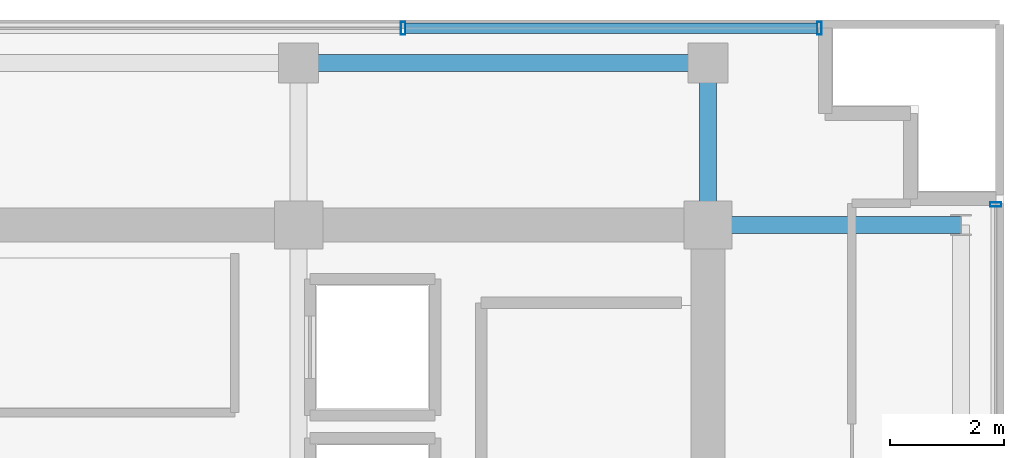
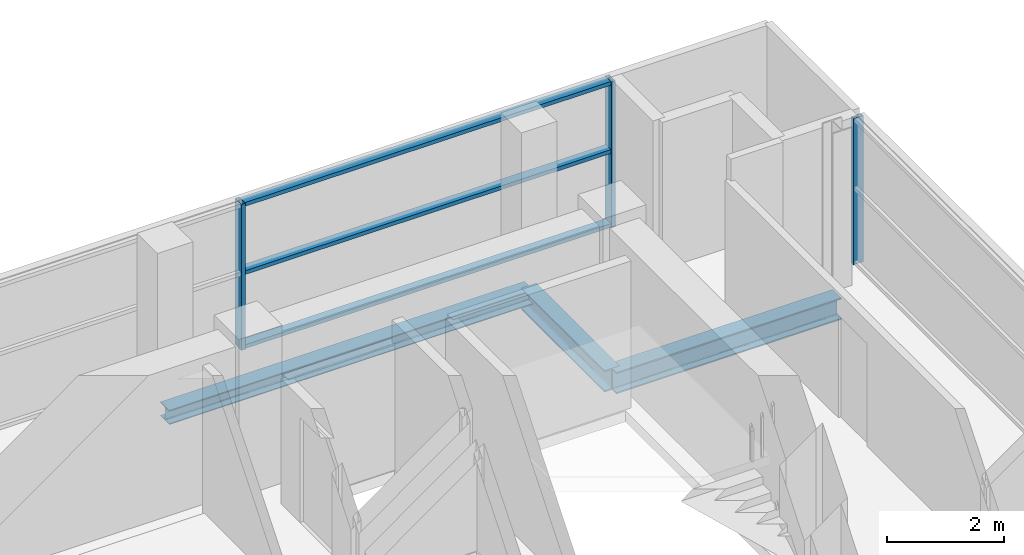
# One storey, part 13 of 22: 6 members, 3 beams, 2 elements without a shape of their own.
"""IFC4 building model written with IfcOpenShell, lengths in metres."""

from ifc_helpers import new_model, si_unit, direction, frame, origin, origin_2d, place, context, subcontext, project, spatial, hollow_rectangle, i_section, extrude, source, transform, mapped, material, layer, layer_set, material_profile, profile_set, type_object, element, aggregate, save


model = new_model("IFC4")

# Units and contexts
model_context = context("Model", 3, precision=1e-05, world=origin(), true_north=direction((0.0, 1.0)))
body_context = subcontext(model_context, "Body", "Model", "MODEL_VIEW")
ifc_project = project(units=[si_unit("LENGTHUNIT", "METRE"), si_unit("AREAUNIT", "SQUARE_METRE"), si_unit("VOLUMEUNIT", "CUBIC_METRE"), si_unit("PLANEANGLEUNIT", "RADIAN"), si_unit("MASSUNIT", "GRAM", prefix="KILO")], contexts=[model_context])

# Site, building, storey
site_placement = place(None, origin())
site = spatial("IfcSite", under=ifc_project, at=site_placement, CompositionType="ELEMENT")
building_placement = place(site_placement, origin())
building = spatial("IfcBuilding", under=site, at=building_placement, Name="Zarnakvel Exchange Tower", CompositionType="ELEMENT")
storey_placement = place(building_placement, frame((0.0, 0.0, 215.5)))
storey = spatial("IfcBuildingStorey", under=building, at=storey_placement, Name="L60", CompositionType="ELEMENT", Elevation=215.5)

# Beams
ifc_material_1 = material(Name="Steel S355", Category="steel")
ifc_material_profile_1 = material_profile(ifc_material_1, i_section(OverallWidth=0.300048828125, OverallDepth=0.449951171875, WebThickness=0.013916015625, FlangeThickness=0.02587890625, FilletRadius=0.027099609375, at=origin_2d()))
ifc_profile_set_1 = profile_set([ifc_material_profile_1], Name="Steel S355")
beam_type_1 = type_object("IfcBeamType", Name="G-07", PredefinedType="BEAM", material=ifc_profile_set_1)
beam_1_placement = place(storey_placement, frame((14.39990234375, 13.5, -0.449951171875), z_axis=(1.0, 0.0, 0.0), x_axis=(0.0, 1.0, 0.0)))
element("IfcBeam", 1, at=beam_1_placement, inside=storey, type_object=beam_type_1, Name="L60 Tower E-W Frame Beam", PredefinedType="BEAM", context=body_context, shape_type="SweptSolid", body=[
    extrude(i_section(OverallWidth=0.300048828125, OverallDepth=0.449951171875, WebThickness=0.013916015625, FlangeThickness=0.02587890625, FilletRadius=0.027099609375, at=origin_2d()), origin(), (0.0, 0.0, 1.0), 4.4501953125),
])
beam_2_placement = place(storey_placement, frame((14.39990234375, 13.5, -0.449951171875), z_axis=(0.0, 1.0, 0.0), x_axis=(-1.0, 0.0, 0.0)))
element("IfcBeam", 2, at=beam_2_placement, inside=storey, type_object=beam_type_1, Name="L60 Tower N-S Frame Beam", PredefinedType="BEAM", context=body_context, shape_type="SweptSolid", body=[
    extrude(i_section(OverallWidth=0.300048828125, OverallDepth=0.449951171875, WebThickness=0.013916015625, FlangeThickness=0.02587890625, FilletRadius=0.027099609375, at=origin_2d()), origin(), (0.0, 0.0, 1.0), 2.85009765625),
])
ifc_material_profile_2 = material_profile(ifc_material_1, i_section(OverallWidth=0.300048828125, OverallDepth=0.300048828125, WebThickness=0.010986328125, FlangeThickness=0.01904296875, FilletRadius=0.027099609375, at=origin_2d()))
ifc_profile_set_2 = profile_set([ifc_material_profile_2], Name="Steel S355")
beam_type_2 = type_object("IfcBeamType", Name="SP-03", PredefinedType="SPANDREL", material=ifc_profile_set_2)
beam_3_placement = place(storey_placement, frame((7.199951171875, 16.35009765625, -0.375), z_axis=(1.0, 0.0, 0.0), x_axis=(0.0, 1.0, 0.0)))
element("IfcBeam", 3, at=beam_3_placement, inside=storey, type_object=beam_type_2, Name="L60 Tower E-W Frame Beam", PredefinedType="SPANDREL", context=body_context, shape_type="SweptSolid", body=[
    extrude(i_section(OverallWidth=0.300048828125, OverallDepth=0.300048828125, WebThickness=0.010986328125, FlangeThickness=0.01904296875, FilletRadius=0.027099609375, at=origin_2d()), origin(), (0.0, 0.0, 1.0), 7.199951171875),
])

# Curtain wall, member
ifc_material_2 = material(Name="Architectural Bronze Anodised Aluminium", Category="aluminium")
ifc_layer_1 = layer(ifc_material_2, 0.199951171875)
ifc_layer_set_1 = layer_set([ifc_layer_1], Name="Architectural Bronze Anodised Aluminium")
curtain_wall_type_1 = type_object("IfcCurtainWallType", Name="CW-04", PredefinedType="NOTDEFINED", material=ifc_layer_set_1)
curtain_wall_1_placement = place(storey_placement, origin())
curtain_wall_1 = element("IfcCurtainWall", 4, at=curtain_wall_1_placement, inside=storey, type_object=curtain_wall_type_1, Name="L60 Curtain Wall CW-L60-E1 (CW-04)", PredefinedType="NOTDEFINED")
ifc_material_profile_3 = material_profile(ifc_material_2, hollow_rectangle(XDim=0.199951171875, YDim=0.074951171875, WallThickness=0.0048828125, at=origin_2d()))
ifc_profile_set_3 = profile_set([ifc_material_profile_3], Name="Architectural Bronze Anodised Aluminium")
member_type_1 = type_object("IfcMemberType", Name="CWM-04", PredefinedType="MULLION", material=ifc_profile_set_3)
shared_shape_1 = source(origin(), body_context, "Body", "SweptSolid", [
    extrude(hollow_rectangle(XDim=0.199951171875, YDim=0.074951171875, WallThickness=0.0048828125, at=origin_2d()), origin(), (0.0, 0.0, 1.0), 3.054931640625),
])
member_1_placement = place(storey_placement, frame((19.4599609375, 13.862548828125, 0.0), z_axis=(0.0, 0.0, 1.0), x_axis=(-1.0, 0.0, 0.0)))
member_1 = element("IfcMember", 5, at=member_1_placement, type_object=member_type_1, Name="CW-04 mullion 5", PredefinedType="MULLION", context=body_context, shape_type="MappedRepresentation", body=[
    mapped(shared_shape_1, transform((0.0, 0.0, 0.0), x_axis=(1.0, 0.0, 0.0), y_axis=(0.0, 1.0, 0.0), z_axis=(0.0, 0.0, 1.0), scale=1.0)),
])
aggregate(curtain_wall_1, [member_1])

# Curtain wall, members
ifc_layer_2 = layer(ifc_material_2, 0.219970703125)
ifc_layer_set_2 = layer_set([ifc_layer_2], Name="Architectural Bronze Anodised Aluminium")
curtain_wall_type_2 = type_object("IfcCurtainWallType", Name="CW-03", PredefinedType="NOTDEFINED", material=ifc_layer_set_2)
curtain_wall_2_placement = place(storey_placement, origin())
curtain_wall_2 = element("IfcCurtainWall", 6, at=curtain_wall_2_placement, inside=storey, type_object=curtain_wall_type_2, Name="L60 Curtain Wall CW-L60-N1 (CW-03)", PredefinedType="NOTDEFINED")
ifc_material_profile_4 = material_profile(ifc_material_2, hollow_rectangle(XDim=0.219970703125, YDim=0.080078125, WallThickness=0.0048828125, at=origin_2d()))
ifc_profile_set_4 = profile_set([ifc_material_profile_4], Name="Architectural Bronze Anodised Aluminium")
member_type_2 = type_object("IfcMemberType", Name="CWM-03", PredefinedType="MULLION", material=ifc_profile_set_4)
shared_shape_2 = source(origin(), body_context, "Body", "SweptSolid", [
    extrude(hollow_rectangle(XDim=0.219970703125, YDim=0.080078125, WallThickness=0.0048828125, at=origin_2d()), origin(), (0.0, 0.0, 1.0), 3.054931640625),
])
member_2_placement = place(storey_placement, frame((9.0400390625, 16.9599609375, 0.0), z_axis=(0.0, 0.0, 1.0), x_axis=(0.0, 1.0, 0.0)))
member_2 = element("IfcMember", 7, at=member_2_placement, type_object=member_type_2, Name="CW-03 mullion 5", PredefinedType="MULLION", context=body_context, shape_type="MappedRepresentation", body=[
    mapped(shared_shape_2, transform((0.0, 0.0, 0.0), x_axis=(1.0, 0.0, 0.0), y_axis=(0.0, 1.0, 0.0), z_axis=(0.0, 0.0, 1.0), scale=1.0)),
])
member_3_placement = place(storey_placement, frame((16.360107421875, 16.9599609375, 0.0), z_axis=(0.0, 0.0, 1.0), x_axis=(0.0, 1.0, 0.0)))
member_3 = element("IfcMember", 8, at=member_3_placement, type_object=member_type_2, Name="CW-03 mullion 6", PredefinedType="MULLION", context=body_context, shape_type="MappedRepresentation", body=[
    mapped(shared_shape_2, transform((0.0, 0.0, 0.0), x_axis=(1.0, 0.0, 0.0), y_axis=(0.0, 1.0, 0.0), z_axis=(0.0, 0.0, 1.0), scale=1.0)),
])
ifc_material_profile_5 = material_profile(ifc_material_2, hollow_rectangle(XDim=0.179931640625, YDim=0.080078125, WallThickness=0.00390625, at=origin_2d()))
ifc_profile_set_5 = profile_set([ifc_material_profile_5], Name="Architectural Bronze Anodised Aluminium")
member_type_3 = type_object("IfcMemberType", Name="CWT-03", PredefinedType="USERDEFINED", material=ifc_profile_set_5)
shared_shape_3 = source(origin(), body_context, "Body", "SweptSolid", [
    extrude(hollow_rectangle(XDim=0.179931640625, YDim=0.080078125, WallThickness=0.00390625, at=origin_2d()), origin(), (0.0, 0.0, 1.0), 7.239990234375),
])
member_4_placement = place(storey_placement, frame((9.080078125, 16.9599609375, 0.0400390625), z_axis=(1.0, 0.0, 0.0), x_axis=(0.0, 1.0, 0.0)))
member_4 = element("IfcMember", 9, at=member_4_placement, type_object=member_type_3, Name="CW-03 transom 5.1", ObjectType="TRANSOM", PredefinedType="USERDEFINED", context=body_context, shape_type="MappedRepresentation", body=[
    mapped(shared_shape_3, transform((0.0, 0.0, 0.0), x_axis=(1.0, 0.0, 0.0), y_axis=(0.0, 1.0, 0.0), z_axis=(0.0, 0.0, 1.0), scale=1.0)),
])
member_5_placement = place(storey_placement, frame((9.080078125, 16.9599609375, 1.588623046875), z_axis=(1.0, 0.0, 0.0), x_axis=(0.0, 1.0, 0.0)))
member_5 = element("IfcMember", 10, at=member_5_placement, type_object=member_type_3, Name="CW-03 transom 5.2", ObjectType="TRANSOM", PredefinedType="USERDEFINED", context=body_context, shape_type="MappedRepresentation", body=[
    mapped(shared_shape_3, transform((0.0, 0.0, 0.0), x_axis=(1.0, 0.0, 0.0), y_axis=(0.0, 1.0, 0.0), z_axis=(0.0, 0.0, 1.0), scale=1.0)),
])
member_6_placement = place(storey_placement, frame((9.080078125, 16.9599609375, 3.014892578125), z_axis=(1.0, 0.0, 0.0), x_axis=(0.0, 1.0, 0.0)))
member_6 = element("IfcMember", 11, at=member_6_placement, type_object=member_type_3, Name="CW-03 transom 5.3", ObjectType="TRANSOM", PredefinedType="USERDEFINED", context=body_context, shape_type="MappedRepresentation", body=[
    mapped(shared_shape_3, transform((0.0, 0.0, 0.0), x_axis=(1.0, 0.0, 0.0), y_axis=(0.0, 1.0, 0.0), z_axis=(0.0, 0.0, 1.0), scale=1.0)),
])
aggregate(curtain_wall_2, [member_2, member_3, member_4, member_5, member_6])

save(model, "model.ifc")
